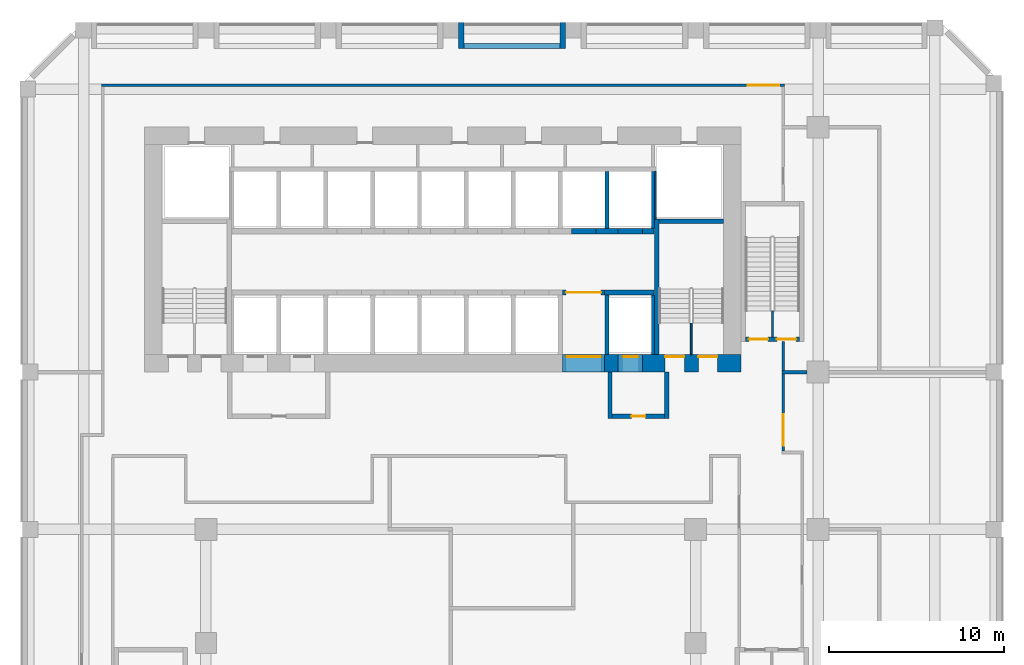
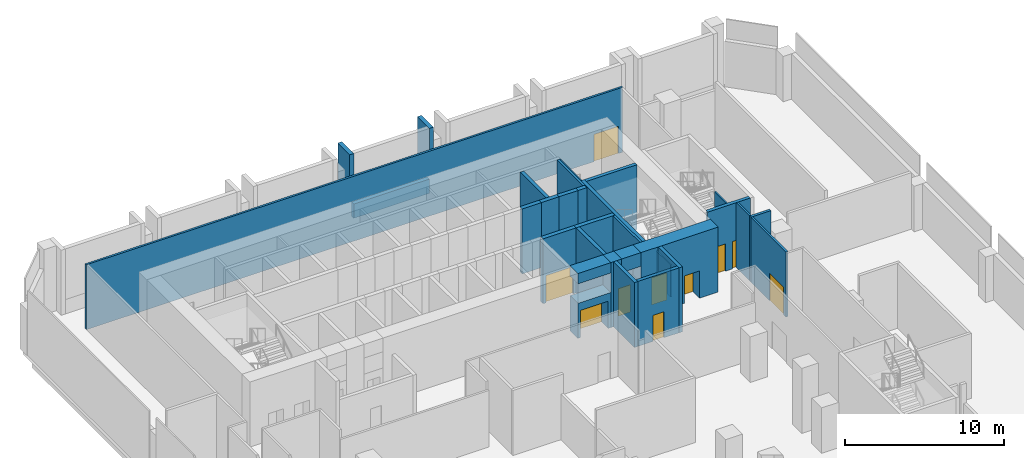
# One storey, part 5 of 10: 32 walls, 10 doors, 10 openings.
"""IFC4 building model written with IfcOpenShell, lengths in metres."""

from ifc_helpers import new_model, si_unit, direction, frame, frame_2d, origin, place, context, subcontext, project, spatial, rectangle, extrude, source, transform, mapped, material, layer, layer_set, type_object, element, fill, save


model = new_model("IFC4")

# Units and contexts
model_context = context("Model", 3, precision=1e-05, world=origin(), true_north=direction((0.0, 1.0)))
body_context = subcontext(model_context, "Body", "Model", "MODEL_VIEW")
ifc_project = project(units=[si_unit("LENGTHUNIT", "METRE"), si_unit("AREAUNIT", "SQUARE_METRE"), si_unit("VOLUMEUNIT", "CUBIC_METRE"), si_unit("PLANEANGLEUNIT", "RADIAN"), si_unit("MASSUNIT", "GRAM", prefix="KILO")], contexts=[model_context])

# Site, building, storey
site_placement = place(None, origin())
site = spatial("IfcSite", under=ifc_project, at=site_placement, CompositionType="ELEMENT")
building_placement = place(site_placement, origin())
building = spatial("IfcBuilding", under=site, at=building_placement, Name="Kilnfold Tower and Market Hall", CompositionType="ELEMENT")
storey_placement = place(building_placement, frame((0.0, 0.0, 95.199951171875)))
storey = spatial("IfcBuildingStorey", under=building, at=storey_placement, Name="L22 Refuge Transfer Level", CompositionType="ELEMENT", Elevation=95.199951171875)

# Wall, opening, door
ifc_material_1 = material(Name="Gypsum board on steel studs", Category="steel")
ifc_layer_1 = layer(ifc_material_1, 0.14990234375)
ifc_layer_set_1 = layer_set([ifc_layer_1], Name="Gypsum board on steel studs")
wall_type_1 = type_object("IfcWallType", Name="WALL CORRIDOR 150", PredefinedType="PARTITIONING", material=ifc_layer_set_1)
wall_1_placement = place(storey_placement, frame((20.5, 3.47509765625, 0.0), z_axis=(0.0, 0.0, 1.0), x_axis=(0.0, 1.0, 0.0)))
wall_1 = element("IfcWall", 1, at=wall_1_placement, inside=storey, type_object=wall_type_1, Name="Partition LY15.20", PredefinedType="PARTITIONING", context=body_context, shape_type="SweptSolid", body=[
    extrude(rectangle(XDim=4.434814453125, YDim=0.14990234375, at=frame_2d((2.21728515625, 0.0))), origin(), (0.0, 0.0, 1.0), 5.0),
])
opening_1_placement = place(wall_1_placement, frame((0.302001953125, 0.0, 0.0)))
opening_1 = element("IfcOpeningElement", 2, at=opening_1_placement, cuts=wall_1, Name="Opening D5", PredefinedType="OPENING", context=body_context, shape_type="SweptSolid", body=[
    extrude(rectangle(XDim=1.800048828125, YDim=2.10009765625, at=frame_2d((0.89990234375, 1.050048828125))), frame((0.0, 0.0849609375, 0.0), z_axis=(0.0, -1.0, 0.0), x_axis=(1.0, 0.0, 0.0)), (0.0, 0.0, 1.0), 0.169921875),
])
ifc_material_2 = material(Name="Timber veneer door leaf in steel frame", Category="steel")
door_type_1 = type_object("IfcDoorType", Name="DOOR DOUBLE 1800 X2100", OperationType="NOTDEFINED", PredefinedType="DOOR", material=ifc_material_2)
door_1_placement = place(opening_1_placement, origin())
door_1 = element("IfcDoor", 3, at=door_1_placement, inside=storey, type_object=door_type_1, Name="Door D5", OperationType="DOUBLE_DOOR_SINGLE_SWING", OverallHeight=2.10009765625, OverallWidth=1.800048828125, PredefinedType="DOOR", context=body_context, shape_type="SweptSolid", body=[
    extrude(rectangle(XDim=1.800048828125, YDim=2.10009765625, at=frame_2d((0.89990234375, 1.050048828125))), frame((0.0, 0.02490234375, 0.0), z_axis=(0.0, -1.0, 0.0), x_axis=(1.0, 0.0, 0.0)), (0.0, 0.0, 1.0), 0.050048828125),
])
fill(opening_1, door_1)

# Wall
wall_2_placement = place(storey_placement, frame((20.5, 8.090087890625, 0.0), z_axis=(0.0, 0.0, 1.0), x_axis=(0.0, 1.0, 0.0)))
element("IfcWall", 4, at=wall_2_placement, inside=storey, type_object=wall_type_1, Name="Partition LY15.23", PredefinedType="PARTITIONING", context=body_context, shape_type="SweptSolid", body=[
    extrude(rectangle(XDim=1.659912109375, YDim=0.14990234375, at=frame_2d((0.830078125, 0.0))), origin(), (0.0, 0.0, 1.0), 5.0),
])

# Wall, opening, door
wall_3_placement = place(storey_placement, frame((20.574951171875, 24.39990234375, 0.0), z_axis=(0.0, 0.0, 1.0), x_axis=(-1.0, 0.0, 0.0)))
wall_3 = element("IfcWall", 5, at=wall_3_placement, inside=storey, type_object=wall_type_1, Name="Partition LY15.25", PredefinedType="PARTITIONING", context=body_context, shape_type="SweptSolid", body=[
    extrude(rectangle(XDim=39.050048828125, YDim=0.14990234375, at=frame_2d((19.52490234375, 0.0))), origin(), (0.0, 0.0, 1.0), 5.0),
])
opening_2_placement = place(wall_3_placement, frame((0.300048828125, 0.0, 0.0)))
opening_2 = element("IfcOpeningElement", 6, at=opening_2_placement, cuts=wall_3, Name="Opening D5", PredefinedType="OPENING", context=body_context, shape_type="SweptSolid", body=[
    extrude(rectangle(XDim=1.800048828125, YDim=2.10009765625, at=frame_2d((0.89990234375, 1.050048828125))), frame((0.0, 0.0849609375, 0.0), z_axis=(0.0, -1.0, 0.0), x_axis=(1.0, 0.0, 0.0)), (0.0, 0.0, 1.0), 0.169921875),
])
door_2_placement = place(opening_2_placement, origin())
door_2 = element("IfcDoor", 7, at=door_2_placement, inside=storey, type_object=door_type_1, Name="Door D5", OperationType="DOUBLE_DOOR_SINGLE_SWING", OverallHeight=2.10009765625, OverallWidth=1.800048828125, PredefinedType="DOOR", context=body_context, shape_type="SweptSolid", body=[
    extrude(rectangle(XDim=1.800048828125, YDim=2.10009765625, at=frame_2d((0.89990234375, 1.050048828125))), frame((0.0, 0.02490234375, 0.0), z_axis=(0.0, -1.0, 0.0), x_axis=(1.0, 0.0, 0.0)), (0.0, 0.0, 1.0), 0.050048828125),
])
fill(opening_2, door_2)

# Walls
ifc_material_3 = material(Name="Gypsum board on steel studs", Category="steel")
ifc_layer_2 = layer(ifc_material_3, 0.199951171875)
ifc_layer_set_2 = layer_set([ifc_layer_2], Name="Gypsum board on steel studs")
wall_type_2 = type_object("IfcWallType", Name="WALL PARTY 200", PredefinedType="PARTITIONING", material=ifc_layer_set_2)
wall_4_placement = place(storey_placement, frame((20.427001953125, 8.0, 0.0), z_axis=(0.0, 0.0, 1.0), x_axis=(1.0, 0.0, 0.0)))
element("IfcWall", 8, at=wall_4_placement, inside=storey, type_object=wall_type_2, Name="Partition LY15.46", PredefinedType="PARTITIONING", context=body_context, shape_type="SweptSolid", body=[
    extrude(rectangle(XDim=1.447998046875, YDim=0.199951171875, at=frame_2d((0.72412109375, 0.0))), origin(), (0.0, 0.0, 1.0), 5.0),
])
ifc_material_4 = material(Name="Concrete C80", Category="concrete")
ifc_layer_3 = layer(ifc_material_4, 1.0)
ifc_layer_set_3 = layer_set([ifc_layer_3], Name="Concrete C80")
wall_type_3 = type_object("IfcWallType", Name="CORE WALL 1000 C80", PredefinedType="SHEAR", material=ifc_layer_set_3)
shared_shape_1 = source(origin(), body_context, "Body", "SweptSolid", [
    extrude(rectangle(XDim=0.780029296875, YDim=1.0, at=frame_2d((0.39013671875, 0.0))), origin(), (0.0, 0.0, 1.0), 5.0),
])
wall_5_placement = place(storey_placement, frame((10.2900390625, 8.5, 0.0), z_axis=(0.0, 0.0, 1.0), x_axis=(1.0, 0.0, 0.0)))
element("IfcWall", 9, at=wall_5_placement, inside=storey, type_object=wall_type_3, Name="Core outer wall south", PredefinedType="SHEAR", context=body_context, shape_type="MappedRepresentation", body=[
    mapped(shared_shape_1, transform((0.0, 0.0, 0.0))),
])

# Wall, openings, doors
shared_shape_2 = source(origin(), body_context, "Body", "SweptSolid", [
    extrude(rectangle(XDim=5.630126953125, YDim=1.0, at=frame_2d((2.81494140625, 0.0))), origin(), (0.0, 0.0, 1.0), 5.0),
])
wall_6_placement = place(storey_placement, frame((12.469970703125, 8.5, 0.0), z_axis=(0.0, 0.0, 1.0), x_axis=(1.0, 0.0, 0.0)))
wall_6 = element("IfcWall", 10, at=wall_6_placement, inside=storey, type_object=wall_type_3, Name="Core outer wall south", PredefinedType="SHEAR", context=body_context, shape_type="MappedRepresentation", body=[
    mapped(shared_shape_2, transform((0.0, 0.0, 0.0))),
])
opening_3_placement = place(wall_6_placement, frame((1.280029296875, 0.0, 0.0)))
opening_3 = element("IfcOpeningElement", 11, at=opening_3_placement, cuts=wall_6, Name="Opening SD3", PredefinedType="OPENING", context=body_context, shape_type="SweptSolid", body=[
    extrude(rectangle(XDim=1.10009765625, YDim=2.10009765625, at=frame_2d((0.550048828125, 1.050048828125))), frame((0.0, 0.510009765625, 0.0), z_axis=(0.0, -1.0, 0.0), x_axis=(1.0, 0.0, 0.0)), (0.0, 0.0, 1.0), 1.02001953125),
])
opening_4_placement = place(wall_6_placement, frame((3.179931640625, 0.0, 0.0)))
opening_4 = element("IfcOpeningElement", 12, at=opening_4_placement, cuts=wall_6, Name="Opening SD3", PredefinedType="OPENING", context=body_context, shape_type="SweptSolid", body=[
    extrude(rectangle(XDim=1.10009765625, YDim=2.10009765625, at=frame_2d((0.550048828125, 1.050048828125))), frame((0.0, 0.510009765625, 0.0), z_axis=(0.0, -1.0, 0.0), x_axis=(1.0, 0.0, 0.0)), (0.0, 0.0, 1.0), 1.02001953125),
])
ifc_material_5 = material(Name="Steel door set with fire-resisting leaf", Category="steel")
door_type_2 = type_object("IfcDoorType", Name="STAIR REFUGE DOOR 1100X2100", OperationType="NOTDEFINED", PredefinedType="DOOR", material=ifc_material_5)
door_3_placement = place(opening_3_placement, origin())
door_3 = element("IfcDoor", 13, at=door_3_placement, inside=storey, type_object=door_type_2, Name="Exit stair ST2 door from refuge", OperationType="SINGLE_SWING_RIGHT", OverallHeight=2.10009765625, OverallWidth=1.10009765625, PredefinedType="DOOR", context=body_context, shape_type="SweptSolid", body=[
    extrude(rectangle(XDim=1.10009765625, YDim=2.10009765625, at=frame_2d((0.550048828125, 1.050048828125))), frame((0.0, 0.40478515625, 0.0), z_axis=(0.0, -1.0, 0.0), x_axis=(1.0, 0.0, 0.0)), (0.0, 0.0, 1.0), 0.050048828125),
])
fill(opening_3, door_3)
door_4_placement = place(opening_4_placement, origin())
door_4 = element("IfcDoor", 14, at=door_4_placement, inside=storey, type_object=door_type_2, Name="Exit stair ST2 door to refuge", OperationType="SINGLE_SWING_LEFT", OverallHeight=2.10009765625, OverallWidth=1.10009765625, PredefinedType="DOOR", context=body_context, shape_type="SweptSolid", body=[
    extrude(rectangle(XDim=1.10009765625, YDim=2.10009765625, at=frame_2d((0.550048828125, 1.050048828125))), frame((0.0, 0.40478515625, 0.0), z_axis=(0.0, -1.0, 0.0), x_axis=(1.0, 0.0, 0.0)), (0.0, 0.0, 1.0), 0.050048828125),
])
fill(opening_4, door_4)

# Walls
ifc_material_6 = material(Name="Concrete C80", Category="concrete")
ifc_layer_4 = layer(ifc_material_6, 0.25)
ifc_layer_set_4 = layer_set([ifc_layer_4], Name="Concrete C80")
wall_type_4 = type_object("IfcWallType", Name="CORE WALL 250 C80", PredefinedType="SHEAR", material=ifc_layer_set_4)
shared_shape_3 = source(origin(), body_context, "Body", "SweptSolid", [
    extrude(rectangle(XDim=7.75, YDim=0.25, at=frame_2d((3.875, 0.0))), origin(), (0.0, 0.0, 1.0), 5.0),
])
wall_7_placement = place(storey_placement, frame((13.27490234375, 9.0, 0.0), z_axis=(0.0, 0.0, 1.0), x_axis=(0.0, 1.0, 0.0)))
element("IfcWall", 15, at=wall_7_placement, inside=storey, type_object=wall_type_4, Name="Stair enclosure ST2", PredefinedType="SHEAR", context=body_context, shape_type="MappedRepresentation", body=[
    mapped(shared_shape_3, transform((0.0, 0.0, 0.0))),
])
shared_shape_4 = source(origin(), body_context, "Body", "SweptSolid", [
    extrude(rectangle(XDim=3.7001953125, YDim=0.25, at=frame_2d((1.85009765625, 0.0))), origin(), (0.0, 0.0, 1.0), 5.0),
])
wall_8_placement = place(storey_placement, frame((13.39990234375, 16.625, 0.0), z_axis=(0.0, 0.0, 1.0), x_axis=(1.0, 0.0, 0.0)))
element("IfcWall", 16, at=wall_8_placement, inside=storey, type_object=wall_type_4, Name="Stair enclosure ST2", PredefinedType="SHEAR", context=body_context, shape_type="MappedRepresentation", body=[
    mapped(shared_shape_4, transform((0.0, 0.0, 0.0))),
])

# Wall, openings, doors
shared_shape_5 = source(origin(), body_context, "Body", "SweptSolid", [
    extrude(rectangle(XDim=3.099853515625, YDim=0.25, at=frame_2d((1.5498046875, 0.0))), origin(), (0.0, 0.0, 1.0), 5.0),
])
wall_9_placement = place(storey_placement, frame((18.35009765625, 9.875, 0.0), z_axis=(0.0, 0.0, 1.0), x_axis=(1.0, 0.0, 0.0)))
wall_9 = element("IfcWall", 17, at=wall_9_placement, inside=storey, type_object=wall_type_4, Name="Stair enclosure ST5", PredefinedType="SHEAR", context=body_context, shape_type="MappedRepresentation", body=[
    mapped(shared_shape_5, transform((0.0, 0.0, 0.0))),
])
opening_5_placement = place(wall_9_placement, frame((0.199951171875, 0.0, 0.0)))
opening_5 = element("IfcOpeningElement", 18, at=opening_5_placement, cuts=wall_9, Name="Opening SD3", PredefinedType="OPENING", context=body_context, shape_type="SweptSolid", body=[
    extrude(rectangle(XDim=1.10009765625, YDim=2.10009765625, at=frame_2d((0.550048828125, 1.050048828125))), frame((0.0, 0.135009765625, 0.0), z_axis=(0.0, -1.0, 0.0), x_axis=(1.0, 0.0, 0.0)), (0.0, 0.0, 1.0), 0.27001953125),
])
opening_6_placement = place(wall_9_placement, frame((1.800048828125, 0.0, 0.0)))
opening_6 = element("IfcOpeningElement", 19, at=opening_6_placement, cuts=wall_9, Name="Opening SD3", PredefinedType="OPENING", context=body_context, shape_type="SweptSolid", body=[
    extrude(rectangle(XDim=1.10009765625, YDim=2.10009765625, at=frame_2d((0.550048828125, 1.050048828125))), frame((0.0, 0.135009765625, 0.0), z_axis=(0.0, -1.0, 0.0), x_axis=(1.0, 0.0, 0.0)), (0.0, 0.0, 1.0), 0.27001953125),
])
door_5_placement = place(opening_5_placement, origin())
door_5 = element("IfcDoor", 20, at=door_5_placement, inside=storey, type_object=door_type_2, Name="Exit stair ST5 door from refuge", OperationType="SINGLE_SWING_RIGHT", OverallHeight=2.10009765625, OverallWidth=1.10009765625, PredefinedType="DOOR", context=body_context, shape_type="SweptSolid", body=[
    extrude(rectangle(XDim=1.10009765625, YDim=2.10009765625, at=frame_2d((0.550048828125, 1.050048828125))), frame((0.0, 0.02490234375, 0.0), z_axis=(0.0, -1.0, 0.0), x_axis=(1.0, 0.0, 0.0)), (0.0, 0.0, 1.0), 0.050048828125),
])
fill(opening_5, door_5)
door_6_placement = place(opening_6_placement, origin())
door_6 = element("IfcDoor", 21, at=door_6_placement, inside=storey, type_object=door_type_2, Name="Exit stair ST5 door to refuge", OperationType="SINGLE_SWING_LEFT", OverallHeight=2.10009765625, OverallWidth=1.10009765625, PredefinedType="DOOR", context=body_context, shape_type="SweptSolid", body=[
    extrude(rectangle(XDim=1.10009765625, YDim=2.10009765625, at=frame_2d((0.550048828125, 1.050048828125))), frame((0.0, 0.02490234375, 0.0), z_axis=(0.0, -1.0, 0.0), x_axis=(1.0, 0.0, 0.0)), (0.0, 0.0, 1.0), 0.050048828125),
])
fill(opening_6, door_6)

# Walls
ifc_material_7 = material(Name="Concrete C80", Category="concrete")
ifc_layer_5 = layer(ifc_material_7, 0.300048828125)
ifc_layer_set_5 = layer_set([ifc_layer_5], Name="Concrete C80")
wall_type_5 = type_object("IfcWallType", Name="CORE WALL 300 C80", PredefinedType="SHEAR", material=ifc_layer_set_5)
shared_shape_6 = source(origin(), body_context, "Body", "SweptSolid", [
    extrude(rectangle(XDim=1.280029296875, YDim=0.300048828125, at=frame_2d((0.64013671875, 0.0))), origin(), (0.0, 0.0, 1.0), 5.0),
])
wall_10_placement = place(storey_placement, frame((9.7900390625, 16.050048828125, 0.0), z_axis=(0.0, 0.0, 1.0), x_axis=(1.0, 0.0, 0.0)))
element("IfcWall", 22, at=wall_10_placement, inside=storey, type_object=wall_type_5, Name="Core spine wall", PredefinedType="SHEAR", context=body_context, shape_type="MappedRepresentation", body=[
    mapped(shared_shape_6, transform((0.0, 0.0, 0.0))),
])
shared_shape_7 = source(origin(), body_context, "Body", "SweptSolid", [
    extrude(rectangle(XDim=2.820068359375, YDim=0.300048828125, at=frame_2d((1.41015625, 0.0))), origin(), (0.0, 0.0, 1.0), 5.0),
])
wall_11_placement = place(storey_placement, frame((10.2900390625, 12.550048828125, 0.0), z_axis=(0.0, 0.0, 1.0), x_axis=(1.0, 0.0, 0.0)))
element("IfcWall", 23, at=wall_11_placement, inside=storey, type_object=wall_type_5, Name="Core spine wall", PredefinedType="SHEAR", context=body_context, shape_type="MappedRepresentation", body=[
    mapped(shared_shape_7, transform((0.0, 0.0, 0.0))),
])
shared_shape_8 = source(origin(), body_context, "Body", "SweptSolid", [
    extrude(rectangle(XDim=0.64013671875, YDim=0.300048828125, at=frame_2d((0.320068359375, 0.0))), origin(), (0.0, 0.0, 1.0), 5.0),
])
wall_12_placement = place(storey_placement, frame((12.469970703125, 16.050048828125, 0.0), z_axis=(0.0, 0.0, 1.0), x_axis=(1.0, 0.0, 0.0)))
element("IfcWall", 24, at=wall_12_placement, inside=storey, type_object=wall_type_5, Name="Core spine wall", PredefinedType="SHEAR", context=body_context, shape_type="MappedRepresentation", body=[
    mapped(shared_shape_8, transform((0.0, 0.0, 0.0))),
])
shared_shape_9 = source(origin(), body_context, "Body", "SweptSolid", [
    extrude(rectangle(XDim=1.39990234375, YDim=1.0, at=frame_2d((0.699951171875, 0.0))), origin(), (0.0, 0.0, 1.0), 1.050048828125),
])
wall_13_placement = place(storey_placement, frame((11.070068359375, 8.5, 3.949951171875), z_axis=(0.0, 0.0, 1.0), x_axis=(1.0, 0.0, 0.0)))
element("IfcWall", 25, at=wall_13_placement, inside=storey, type_object=wall_type_3, Name="Core wall over opening", PredefinedType="SHEAR", context=body_context, shape_type="MappedRepresentation", body=[
    mapped(shared_shape_9, transform((0.0, 0.0, 0.0))),
])
shared_shape_10 = source(origin(), body_context, "Body", "SweptSolid", [
    extrude(rectangle(XDim=2.400146484375, YDim=1.0, at=frame_2d((1.2001953125, 0.0))), origin(), (0.0, 0.0, 1.0), 0.800048828125),
])
wall_14_placement = place(storey_placement, frame((7.889892578125, 8.5, 4.199951171875), z_axis=(0.0, 0.0, 1.0), x_axis=(1.0, 0.0, 0.0)))
element("IfcWall", 26, at=wall_14_placement, inside=storey, type_object=wall_type_3, Name="Core wall over opening", PredefinedType="SHEAR", context=body_context, shape_type="MappedRepresentation", body=[
    mapped(shared_shape_10, transform((0.0, 0.0, 0.0))),
])
ifc_material_8 = material(Name="Precast concrete C50/60", Category="concrete")
ifc_layer_6 = layer(ifc_material_8, 0.300048828125)
ifc_layer_set_6 = layer_set([ifc_layer_6], Name="Precast concrete C50/60")
wall_type_6 = type_object("IfcWallType", Name="PRECAST WALL 300", PredefinedType="SOLIDWALL", material=ifc_layer_set_6)
shared_shape_11 = source(origin(), body_context, "Body", "SweptSolid", [
    extrude(rectangle(XDim=5.5, YDim=0.300048828125, at=frame_2d((2.75, 0.0))), origin(), (0.0, 0.0, 1.0), 1.10009765625),
])
wall_15_placement = place(storey_placement, frame((7.75, 26.64990234375, 0.0), z_axis=(0.0, 0.0, 1.0), x_axis=(-1.0, 0.0, 0.0)))
element("IfcWall", 27, at=wall_15_placement, inside=storey, type_object=wall_type_6, Name="Knee wall L22 N", PredefinedType="SOLIDWALL", context=body_context, shape_type="MappedRepresentation", body=[
    mapped(shared_shape_11, transform((0.0, 0.0, 0.0))),
])
shared_shape_12 = source(origin(), body_context, "Body", "SweptSolid", [
    extrude(rectangle(XDim=1.5, YDim=0.300048828125, at=frame_2d((0.75, 0.0))), origin(), (0.0, 0.0, 1.0), 5.0),
])
for number, where, z_axis, x_axis, name in (
    (28, (7.89990234375, 28.0, 0.0), (0.0, 0.0, 1.0), (0.0, -1.0, 0.0), "Plant wall L22 N"),
    (29, (2.10009765625, 28.0, 0.0), (0.0, 0.0, 1.0), (0.0, -1.0, 0.0), "Plant wall L22 N"),
):
    element("IfcWall", number, at=place(storey_placement, frame(where, z_axis=z_axis, x_axis=x_axis)), inside=storey, type_object=wall_type_6, Name=name, PredefinedType="SOLIDWALL", context=body_context, shape_type="MappedRepresentation", body=[
        mapped(shared_shape_12, transform((0.0, 0.0, 0.0))),
    ])

# Wall, opening, door
ifc_material_9 = material(Name="Gypsum shaft wall system")
ifc_layer_7 = layer(ifc_material_9, 1.0)
ifc_layer_set_7 = layer_set([ifc_layer_7], Name="Gypsum shaft wall system")
wall_type_7 = type_object("IfcWallType", Name="LOBBY WALL 1000", PredefinedType="PARTITIONING", material=ifc_layer_set_7)
shared_shape_13 = source(origin(), body_context, "Body", "SweptSolid", [
    extrude(rectangle(XDim=1.39990234375, YDim=1.0, at=frame_2d((0.699951171875, 0.0))), origin(), (0.0, 0.0, 1.0), 2.699951171875),
])
wall_16_placement = place(storey_placement, frame((11.070068359375, 8.5, 0.0), z_axis=(0.0, 0.0, 1.0), x_axis=(1.0, 0.0, 0.0)))
wall_16 = element("IfcWall", 30, at=wall_16_placement, inside=storey, type_object=wall_type_7, Name="Core wall infill", PredefinedType="PARTITIONING", context=body_context, shape_type="MappedRepresentation", body=[
    mapped(shared_shape_13, transform((0.0, 0.0, 0.0))),
])
opening_7_placement = place(wall_16_placement, frame((0.25, 0.0, 0.0)))
opening_7 = element("IfcOpeningElement", 31, at=opening_7_placement, cuts=wall_16, Name="Opening LD1", PredefinedType="OPENING", context=body_context, shape_type="SweptSolid", body=[
    extrude(rectangle(XDim=0.89990234375, YDim=2.10009765625, at=frame_2d((0.449951171875, 1.050048828125))), frame((0.0, 0.510009765625, 0.0), z_axis=(0.0, -1.0, 0.0), x_axis=(1.0, 0.0, 0.0)), (0.0, 0.0, 1.0), 1.02001953125),
])
ifc_material_10 = material(Name="Steel door set with fire-resisting leaf", Category="steel")
door_type_3 = type_object("IfcDoorType", Name="FIREFIGHTING LANDING DOOR 900X2100", OperationType="NOTDEFINED", PredefinedType="DOOR", material=ifc_material_10)
door_7_placement = place(opening_7_placement, origin())
door_7 = element("IfcDoor", 32, at=door_7_placement, inside=storey, type_object=door_type_3, Name="Landing door FF3", OperationType="SLIDING_TO_LEFT", OverallHeight=2.10009765625, OverallWidth=0.89990234375, PredefinedType="DOOR", context=body_context, shape_type="SweptSolid", body=[
    extrude(rectangle(XDim=0.89990234375, YDim=2.10009765625, at=frame_2d((0.449951171875, 1.050048828125))), frame((0.0, 0.40478515625, 0.0), z_axis=(0.0, -1.0, 0.0), x_axis=(1.0, 0.0, 0.0)), (0.0, 0.0, 1.0), 0.050048828125),
])
fill(opening_7, door_7)

shared_shape_14 = source(origin(), body_context, "Body", "SweptSolid", [
    extrude(rectangle(XDim=2.400146484375, YDim=1.0, at=frame_2d((1.2001953125, 0.0))), origin(), (0.0, 0.0, 1.0), 2.699951171875),
])
wall_17_placement = place(storey_placement, frame((7.889892578125, 8.5, 0.0), z_axis=(0.0, 0.0, 1.0), x_axis=(1.0, 0.0, 0.0)))
wall_17 = element("IfcWall", 33, at=wall_17_placement, inside=storey, type_object=wall_type_7, Name="Core wall infill", PredefinedType="PARTITIONING", context=body_context, shape_type="MappedRepresentation", body=[
    mapped(shared_shape_14, transform((0.0, 0.0, 0.0))),
])
opening_8_placement = place(wall_17_placement, frame((0.199951171875, 0.0, 0.0)))
opening_8 = element("IfcOpeningElement", 34, at=opening_8_placement, cuts=wall_17, Name="Opening VD2", PredefinedType="OPENING", context=body_context, shape_type="SweptSolid", body=[
    extrude(rectangle(XDim=2.0, YDim=2.10009765625, at=frame_2d((1.0, 1.050048828125))), frame((0.0, 0.510009765625, 0.0), z_axis=(0.0, -1.0, 0.0), x_axis=(1.0, 0.0, 0.0)), (0.0, 0.0, 1.0), 1.02001953125),
])
ifc_material_11 = material(Name="Steel door set with fire-resisting leaf", Category="steel")
door_type_4 = type_object("IfcDoorType", Name="LIFT LOBBY ENTRANCE DOOR 2000X2100", OperationType="NOTDEFINED", PredefinedType="DOOR", material=ifc_material_11)
door_8_placement = place(opening_8_placement, origin())
door_8 = element("IfcDoor", 35, at=door_8_placement, inside=storey, type_object=door_type_4, Name="Lift lobby entrance door", OperationType="DOUBLE_DOOR_SINGLE_SWING", OverallHeight=2.10009765625, OverallWidth=2.0, PredefinedType="DOOR", context=body_context, shape_type="SweptSolid", body=[
    extrude(rectangle(XDim=2.0, YDim=2.10009765625, at=frame_2d((1.0, 1.050048828125))), frame((0.0, 0.40478515625, 0.0), z_axis=(0.0, -1.0, 0.0), x_axis=(1.0, 0.0, 0.0)), (0.0, 0.0, 1.0), 0.050048828125),
])
fill(opening_8, door_8)

# Walls
ifc_material_12 = material(Name="Gypsum shaft wall system")
ifc_layer_8 = layer(ifc_material_12, 0.300048828125)
ifc_layer_set_8 = layer_set([ifc_layer_8], Name="Gypsum shaft wall system")
wall_type_8 = type_object("IfcWallType", Name="SHAFT WALL 300", PredefinedType="PARTITIONING", material=ifc_layer_set_8)
shared_shape_15 = source(origin(), body_context, "Body", "SweptSolid", [
    extrude(rectangle(XDim=1.39990234375, YDim=0.300048828125, at=frame_2d((0.699951171875, 0.0))), origin(), (0.0, 0.0, 1.0), 5.0),
])
wall_18_placement = place(storey_placement, frame((11.070068359375, 16.050048828125, 0.0), z_axis=(0.0, 0.0, 1.0), x_axis=(1.0, 0.0, 0.0)))
element("IfcWall", 36, at=wall_18_placement, inside=storey, type_object=wall_type_8, Name="Lift shaft front wall", PredefinedType="PARTITIONING", context=body_context, shape_type="MappedRepresentation", body=[
    mapped(shared_shape_15, transform((0.0, 0.0, 0.0))),
])
shared_shape_16 = source(origin(), body_context, "Body", "SweptSolid", [
    extrude(rectangle(XDim=1.400146484375, YDim=0.300048828125, at=frame_2d((0.7001953125, 0.0))), origin(), (0.0, 0.0, 1.0), 5.0),
])
wall_19_placement = place(storey_placement, frame((8.389892578125, 16.050048828125, 0.0), z_axis=(0.0, 0.0, 1.0), x_axis=(1.0, 0.0, 0.0)))
element("IfcWall", 37, at=wall_19_placement, inside=storey, type_object=wall_type_8, Name="Lift shaft front wall", PredefinedType="PARTITIONING", context=body_context, shape_type="MappedRepresentation", body=[
    mapped(shared_shape_16, transform((0.0, 0.0, 0.0))),
])

# Wall, opening, door
shared_shape_17 = source(origin(), body_context, "Body", "SweptSolid", [
    extrude(rectangle(XDim=2.400146484375, YDim=0.300048828125, at=frame_2d((1.2001953125, 0.0))), origin(), (0.0, 0.0, 1.0), 5.0),
])
wall_20_placement = place(storey_placement, frame((7.889892578125, 12.550048828125, 0.0), z_axis=(0.0, 0.0, 1.0), x_axis=(1.0, 0.0, 0.0)))
wall_20 = element("IfcWall", 38, at=wall_20_placement, inside=storey, type_object=wall_type_8, Name="Lift shaft front wall", PredefinedType="PARTITIONING", context=body_context, shape_type="MappedRepresentation", body=[
    mapped(shared_shape_17, transform((0.0, 0.0, 0.0))),
])
opening_9_placement = place(wall_20_placement, frame((0.199951171875, 0.0, 0.0)))
opening_9 = element("IfcOpeningElement", 39, at=opening_9_placement, cuts=wall_20, Name="Opening VD2", PredefinedType="OPENING", context=body_context, shape_type="SweptSolid", body=[
    extrude(rectangle(XDim=2.0, YDim=2.10009765625, at=frame_2d((1.0, 1.050048828125))), frame((0.0, 0.16015625, 0.0), z_axis=(0.0, -1.0, 0.0), x_axis=(1.0, 0.0, 0.0)), (0.0, 0.0, 1.0), 0.320068359375),
])
door_9_placement = place(opening_9_placement, origin())
door_9 = element("IfcDoor", 40, at=door_9_placement, inside=storey, type_object=door_type_4, Name="Lift lobby entrance door", OperationType="DOUBLE_DOOR_SINGLE_SWING", OverallHeight=2.10009765625, OverallWidth=2.0, PredefinedType="DOOR", context=body_context, shape_type="SweptSolid", body=[
    extrude(rectangle(XDim=2.0, YDim=2.10009765625, at=frame_2d((1.0, 1.050048828125))), frame((0.0, 0.02490234375, 0.0), z_axis=(0.0, -1.0, 0.0), x_axis=(1.0, 0.0, 0.0)), (0.0, 0.0, 1.0), 0.050048828125),
])
fill(opening_9, door_9)

# Walls
ifc_material_13 = material(Name="Gypsum shaft wall system")
ifc_layer_9 = layer(ifc_material_13, 0.25)
ifc_layer_set_9 = layer_set([ifc_layer_9], Name="Gypsum shaft wall system")
wall_type_9 = type_object("IfcWallType", Name="LOBBY WALL 250", PredefinedType="PARTITIONING", material=ifc_layer_set_9)
shared_shape_18 = source(origin(), body_context, "Body", "SweptSolid", [
    extrude(rectangle(XDim=2.64990234375, YDim=0.25, at=frame_2d((1.324951171875, 0.0))), origin(), (0.0, 0.0, 1.0), 5.0),
])
for number, where, z_axis, x_axis, name in (
    (41, (10.60498046875, 5.35009765625, 0.0), (0.0, 0.0, 1.0), (0.0, 1.0, 0.0), "Firefighting lobby wall"),
    (42, (13.85498046875, 5.35009765625, 0.0), (0.0, 0.0, 1.0), (0.0, 1.0, 0.0), "Firefighting lobby wall"),
):
    element("IfcWall", number, at=place(storey_placement, frame(where, z_axis=z_axis, x_axis=x_axis)), inside=storey, type_object=wall_type_9, Name=name, PredefinedType="PARTITIONING", context=body_context, shape_type="MappedRepresentation", body=[
        mapped(shared_shape_18, transform((0.0, 0.0, 0.0))),
    ])

# Wall, opening, door
shared_shape_19 = source(origin(), body_context, "Body", "SweptSolid", [
    extrude(rectangle(XDim=3.0, YDim=0.25, at=frame_2d((1.5, 0.0))), origin(), (0.0, 0.0, 1.0), 5.0),
])
wall_21_placement = place(storey_placement, frame((10.72998046875, 5.47509765625, 0.0), z_axis=(0.0, 0.0, 1.0), x_axis=(1.0, 0.0, 0.0)))
wall_21 = element("IfcWall", 43, at=wall_21_placement, inside=storey, type_object=wall_type_9, Name="Firefighting lobby wall", PredefinedType="PARTITIONING", context=body_context, shape_type="MappedRepresentation", body=[
    mapped(shared_shape_19, transform((0.0, 0.0, 0.0))),
])
opening_10_placement = place(wall_21_placement, frame((1.10009765625, 0.0, 0.0)))
opening_10 = element("IfcOpeningElement", 44, at=opening_10_placement, cuts=wall_21, Name="Opening VD1", PredefinedType="OPENING", context=body_context, shape_type="SweptSolid", body=[
    extrude(rectangle(XDim=0.800048828125, YDim=2.0, at=frame_2d((0.39990234375, 1.0))), frame((0.0, 0.135009765625, 0.0), z_axis=(0.0, -1.0, 0.0), x_axis=(1.0, 0.0, 0.0)), (0.0, 0.0, 1.0), 0.27001953125),
])
ifc_material_14 = material(Name="Steel door set with fire-resisting leaf", Category="steel")
door_type_5 = type_object("IfcDoorType", Name="FIREFIGHTING LOBBY DOOR 800X2000", OperationType="NOTDEFINED", PredefinedType="DOOR", material=ifc_material_14)
door_10_placement = place(opening_10_placement, origin())
door_10 = element("IfcDoor", 45, at=door_10_placement, inside=storey, type_object=door_type_5, Name="Firefighting lobby door", OperationType="SINGLE_SWING_RIGHT", OverallHeight=2.0, OverallWidth=0.800048828125, PredefinedType="DOOR", context=body_context, shape_type="SweptSolid", body=[
    extrude(rectangle(XDim=0.800048828125, YDim=2.0, at=frame_2d((0.39990234375, 1.0))), frame((0.0, 0.02490234375, 0.0), z_axis=(0.0, -1.0, 0.0), x_axis=(1.0, 0.0, 0.0)), (0.0, 0.0, 1.0), 0.050048828125),
])
fill(opening_10, door_10)

# Walls
ifc_material_15 = material(Name="Gypsum shaft wall system")
ifc_layer_10 = layer(ifc_material_15, 0.1650390625)
ifc_layer_set_10 = layer_set([ifc_layer_10], Name="Gypsum shaft wall system")
wall_type_10 = type_object("IfcWallType", Name="SHAFT WALL 165", PredefinedType="PARTITIONING", material=ifc_layer_set_10)
shared_shape_20 = source(origin(), body_context, "Body", "SweptSolid", [
    extrude(rectangle(XDim=3.275146484375, YDim=0.1650390625, at=frame_2d((1.6376953125, 0.0))), origin(), (0.0, 0.0, 1.0), 5.0),
])
wall_22_placement = place(storey_placement, frame((13.0673828125, 16.199951171875, 0.0), z_axis=(0.0, 0.0, 1.0), x_axis=(0.0, 1.0, 0.0)))
element("IfcWall", 46, at=wall_22_placement, inside=storey, type_object=wall_type_10, Name="Lift shaft wall", PredefinedType="PARTITIONING", context=body_context, shape_type="MappedRepresentation", body=[
    mapped(shared_shape_20, transform((0.0, 0.0, 0.0))),
])
ifc_material_16 = material(Name="Gypsum shaft wall system")
ifc_layer_11 = layer(ifc_material_16, 0.25)
ifc_layer_set_11 = layer_set([ifc_layer_11], Name="Gypsum shaft wall system")
wall_type_11 = type_object("IfcWallType", Name="SHAFT WALL 250", PredefinedType="PARTITIONING", material=ifc_layer_set_11)
shared_shape_21 = source(origin(), body_context, "Body", "SweptSolid", [
    extrude(rectangle(XDim=3.275146484375, YDim=0.25, at=frame_2d((1.6376953125, 0.0))), origin(), (0.0, 0.0, 1.0), 5.0),
])
wall_23_placement = place(storey_placement, frame((10.429931640625, 16.199951171875, 0.0), z_axis=(0.0, 0.0, 1.0), x_axis=(0.0, 1.0, 0.0)))
element("IfcWall", 47, at=wall_23_placement, inside=storey, type_object=wall_type_11, Name="Lift shaft wall", PredefinedType="PARTITIONING", context=body_context, shape_type="MappedRepresentation", body=[
    mapped(shared_shape_21, transform((0.0, 0.0, 0.0))),
])
ifc_material_17 = material(Name="Gypsum shaft wall system")
ifc_layer_12 = layer(ifc_material_17, 0.0849609375)
ifc_layer_set_12 = layer_set([ifc_layer_12], Name="Gypsum shaft wall system")
wall_type_12 = type_object("IfcWallType", Name="SHAFT WALL 85", PredefinedType="PARTITIONING", material=ifc_layer_set_12)
shared_shape_22 = source(origin(), body_context, "Body", "SweptSolid", [
    extrude(rectangle(XDim=2.72509765625, YDim=0.0849609375, at=frame_2d((1.362548828125, 0.0))), origin(), (0.0, 0.0, 1.0), 5.0),
])
wall_24_placement = place(storey_placement, frame((13.1923828125, 16.75, 0.0), z_axis=(0.0, 0.0, 1.0), x_axis=(0.0, 1.0, 0.0)))
element("IfcWall", 48, at=wall_24_placement, inside=storey, type_object=wall_type_12, Name="Lift shaft wall", PredefinedType="PARTITIONING", context=body_context, shape_type="MappedRepresentation", body=[
    mapped(shared_shape_22, transform((0.0, 0.0, 0.0))),
])
shared_shape_23 = source(origin(), body_context, "Body", "SweptSolid", [
    extrude(rectangle(XDim=3.39990234375, YDim=0.25, at=frame_2d((1.699951171875, 0.0))), origin(), (0.0, 0.0, 1.0), 5.0),
])
wall_25_placement = place(storey_placement, frame((10.429931640625, 9.0, 0.0), z_axis=(0.0, 0.0, 1.0), x_axis=(0.0, 1.0, 0.0)))
element("IfcWall", 49, at=wall_25_placement, inside=storey, type_object=wall_type_11, Name="Lift shaft wall", PredefinedType="PARTITIONING", context=body_context, shape_type="MappedRepresentation", body=[
    mapped(shared_shape_23, transform((0.0, 0.0, 0.0))),
])
shared_shape_24 = source(origin(), body_context, "Body", "SweptSolid", [
    extrude(rectangle(XDim=3.39990234375, YDim=0.1650390625, at=frame_2d((1.699951171875, 0.0))), origin(), (0.0, 0.0, 1.0), 5.0),
])
wall_26_placement = place(storey_placement, frame((13.0673828125, 9.0, 0.0), z_axis=(0.0, 0.0, 1.0), x_axis=(0.0, 1.0, 0.0)))
element("IfcWall", 50, at=wall_26_placement, inside=storey, type_object=wall_type_10, Name="Lift shaft wall", PredefinedType="PARTITIONING", context=body_context, shape_type="MappedRepresentation", body=[
    mapped(shared_shape_24, transform((0.0, 0.0, 0.0))),
])
ifc_material_18 = material(Name="Gypsum shaft wall system")
ifc_layer_13 = layer(ifc_material_18, 0.10009765625)
ifc_layer_set_13 = layer_set([ifc_layer_13], Name="Gypsum shaft wall system")
wall_type_13 = type_object("IfcWallType", Name="STAIR PARTITION 100", PredefinedType="PARTITIONING", material=ifc_layer_set_13)
shared_shape_25 = source(origin(), body_context, "Body", "SweptSolid", [
    extrude(rectangle(XDim=1.800048828125, YDim=0.10009765625, at=frame_2d((0.89990234375, 0.0))), origin(), (0.0, 0.0, 1.0), 2.5),
])
wall_27_placement = place(storey_placement, frame((15.25, 9.0, 0.0), z_axis=(0.0, 0.0, 1.0), x_axis=(0.0, 1.0, 0.0)))
element("IfcWall", 51, at=wall_27_placement, inside=storey, type_object=wall_type_13, Name="Exit stair ST2 refuge partition", PredefinedType="PARTITIONING", context=body_context, shape_type="MappedRepresentation", body=[
    mapped(shared_shape_25, transform((0.0, 0.0, 0.0))),
])
shared_shape_26 = source(origin(), body_context, "Body", "SweptSolid", [
    extrude(rectangle(XDim=1.5, YDim=0.10009765625, at=frame_2d((0.75, 0.0))), origin(), (0.0, 0.0, 1.0), 5.0),
])
wall_28_placement = place(storey_placement, frame((19.89990234375, 10.0, 0.0), z_axis=(0.0, 0.0, 1.0), x_axis=(0.0, 1.0, 0.0)))
element("IfcWall", 52, at=wall_28_placement, inside=storey, type_object=wall_type_13, Name="Exit stair ST5 refuge partition", PredefinedType="PARTITIONING", context=body_context, shape_type="MappedRepresentation", body=[
    mapped(shared_shape_26, transform((0.0, 0.0, 0.0))),
])

save(model, "model.ifc")
